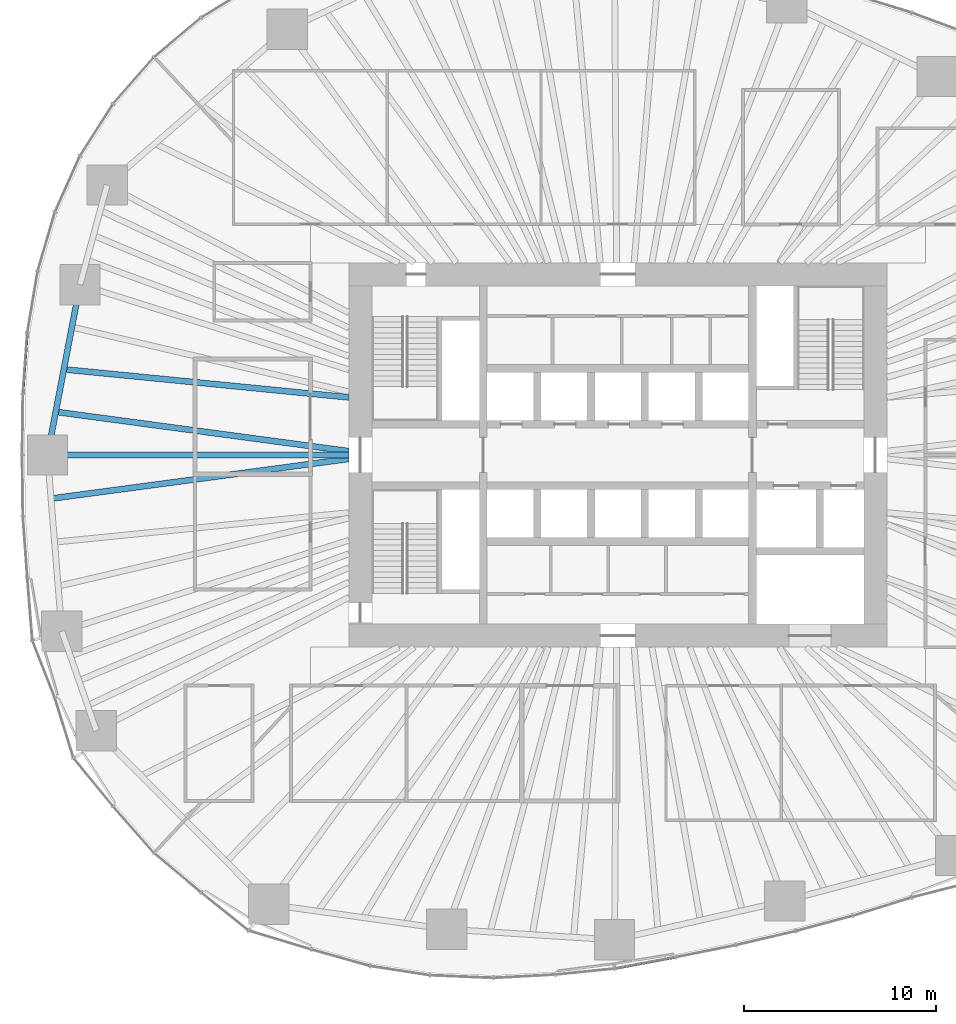
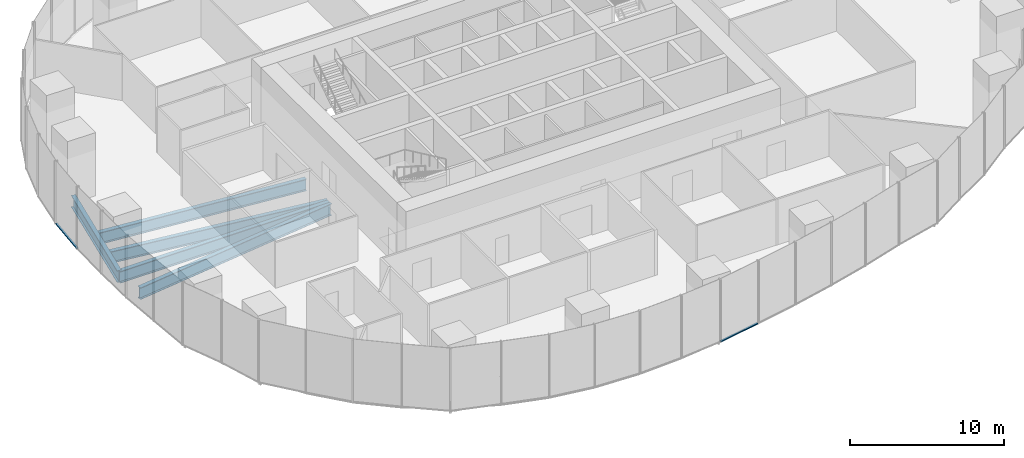
# One storey, part 3 of 20: 5 beams, 2 members, 2 elements without a shape of their own.
"""IFC4 building model written with IfcOpenShell, lengths in metres."""

from ifc_helpers import new_model, si_unit, direction, frame, origin, origin_2d, place, context, subcontext, project, spatial, rectangle, i_section, extrude, material, material_profile, profile_set, type_object, element, aggregate, save


model = new_model("IFC4")

# Units and contexts
model_context = context("Model", 3, precision=1e-05, world=origin(), true_north=direction((0.0, 1.0)))
body_context = subcontext(model_context, "Body", "Model", "MODEL_VIEW")
ifc_project = project(units=[si_unit("LENGTHUNIT", "METRE"), si_unit("AREAUNIT", "SQUARE_METRE"), si_unit("VOLUMEUNIT", "CUBIC_METRE"), si_unit("PLANEANGLEUNIT", "RADIAN"), si_unit("MASSUNIT", "GRAM", prefix="KILO")], contexts=[model_context])

# Site, building, storey
site_placement = place(None, origin())
site = spatial("IfcSite", under=ifc_project, at=site_placement, CompositionType="ELEMENT")
building_placement = place(site_placement, origin())
building = spatial("IfcBuilding", under=site, at=building_placement, Name="Ghaith Harvest Tower", CompositionType="ELEMENT")
storey_placement = place(building_placement, frame((0.0, 0.0, 30.0)))
storey = spatial("IfcBuildingStorey", under=building, at=storey_placement, Name="L06", CompositionType="ELEMENT", Elevation=30.0)

# Curtain wall, member
ifc_material_1 = material(Name="Black anodised aluminium and fritted glass", Category="aluminium")
curtain_wall_type = type_object("IfcCurtainWallType", Name="CW-F CURTAIN WALL", PredefinedType="NOTDEFINED", material=ifc_material_1)
curtain_wall_1_placement = place(storey_placement, origin())
curtain_wall_1 = element("IfcCurtainWall", 1, at=curtain_wall_1_placement, inside=storey, type_object=curtain_wall_type, Name="Curtain wall CW-F bay 10 L06", PredefinedType="NOTDEFINED")
ifc_material_2 = material(Name="Aluminium, black anodised", Category="aluminium")
ifc_material_profile_1 = material_profile(ifc_material_2, rectangle(XDim=0.139892578125, YDim=0.080078125, at=origin_2d()), Name="CW-F TRANSOM 140x80")
ifc_profile_set_1 = profile_set([ifc_material_profile_1], Name="Aluminium, black anodised")
member_type = type_object("IfcMemberType", Name="CW-F TRANSOM 140x80", PredefinedType="USERDEFINED", material=ifc_profile_set_1)
member_1_placement = place(storey_placement, frame((-30.72705078125, 6.335693359375, 0.0400390625), z_axis=(-0.072473547161, -0.997370334912, 0.0), x_axis=(0.997370334912, -0.072473547161, 0.0)))
member_1 = element("IfcMember", 2, at=member_1_placement, type_object=member_type, Name="CW-F transom 2 bay 10 L06", ObjectType="TRANSOM", PredefinedType="USERDEFINED", context=body_context, shape_type="SweptSolid", body=[
    extrude(rectangle(XDim=0.139892578125, YDim=0.080078125, at=origin_2d()), origin(), (0.0, 0.0, 1.0), 3.126220703125),
])
aggregate(curtain_wall_1, [member_1])

curtain_wall_2_placement = place(storey_placement, origin())
curtain_wall_2 = element("IfcCurtainWall", 3, at=curtain_wall_2_placement, inside=storey, type_object=curtain_wall_type, Name="Curtain wall CW-F bay 16 L06", PredefinedType="NOTDEFINED")
member_2_placement = place(storey_placement, frame((-0.1435546875, -26.709716796875, 0.0400390625), z_axis=(0.983139075124, 0.182859396706, 0.0), x_axis=(-0.182859396706, 0.983139075124, 0.0)))
member_2 = element("IfcMember", 4, at=member_2_placement, type_object=member_type, Name="CW-F transom 1 bay 16 L06", ObjectType="TRANSOM", PredefinedType="USERDEFINED", context=body_context, shape_type="SweptSolid", body=[
    extrude(rectangle(XDim=0.139892578125, YDim=0.080078125, at=origin_2d()), origin(), (0.0, 0.0, 1.0), 3.1669921875),
])
aggregate(curtain_wall_2, [member_2])

# Beams
ifc_material_3 = material(Name="Steel ASTM A992 Grade 50", Category="steel")
ifc_material_profile_2 = material_profile(ifc_material_3, i_section(OverallWidth=0.306884765625, OverallDepth=0.94189453125, WebThickness=0.022216796875, FlangeThickness=0.039794921875, at=origin_2d()), Name="W920X345")
ifc_profile_set_2 = profile_set([ifc_material_profile_2], Name="Steel ASTM A992 Grade 50")
beam_type_1 = type_object("IfcBeamType", Name="E920-345 W920X345", PredefinedType="SPANDREL", material=ifc_profile_set_2)
beam_1_placement = place(storey_placement, frame((-27.98291015625, 8.867919921875, -0.6708984375), z_axis=(-0.187433949108, -0.982277208695, 0.0), x_axis=(0.982277208695, -0.187433949108, 0.0)))
element("IfcBeam", 5, at=beam_1_placement, inside=storey, type_object=beam_type_1, Name="Edge beam E10 L06", PredefinedType="SPANDREL", context=body_context, shape_type="SweptSolid", body=[
    extrude(i_section(OverallWidth=0.306884765625, OverallDepth=0.94189453125, WebThickness=0.022216796875, FlangeThickness=0.039794921875, at=origin_2d()), origin(), (0.0, 0.0, 1.0), 9.02783203125),
])
ifc_material_4 = material(Name="Steel ASTM A992 Grade 50", Category="steel")
ifc_material_profile_3 = material_profile(ifc_material_4, i_section(OverallWidth=0.306884765625, OverallDepth=0.94189453125, WebThickness=0.022216796875, FlangeThickness=0.039794921875, at=origin_2d()), Name="W920X345")
ifc_profile_set_3 = profile_set([ifc_material_profile_3], Name="Steel ASTM A992 Grade 50")
beam_type_2 = type_object("IfcBeamType", Name="G920-345 W920X345", PredefinedType="BEAM", material=ifc_profile_set_3)
beam_2_placement = place(storey_placement, frame((-14.0, 0.0, -0.6708984375), z_axis=(-1.0, 0.0, 0.0), x_axis=(0.0, -1.0, 0.0)))
element("IfcBeam", 6, at=beam_2_placement, inside=storey, type_object=beam_type_2, Name="Radial girder G11 L06", PredefinedType="BEAM", context=body_context, shape_type="SweptSolid", body=[
    extrude(i_section(OverallWidth=0.306884765625, OverallDepth=0.94189453125, WebThickness=0.022216796875, FlangeThickness=0.039794921875, at=origin_2d()), origin(), (0.0, 0.0, 1.0), 15.675048828125),
])
ifc_material_5 = material(Name="Steel ASTM A992 Grade 50", Category="steel")
ifc_material_profile_4 = material_profile(ifc_material_5, i_section(OverallWidth=0.31005859375, OverallDepth=0.927001953125, WebThickness=0.019287109375, FlangeThickness=0.031982421875, at=origin_2d()), Name="W920X289")
ifc_profile_set_4 = profile_set([ifc_material_profile_4], Name="Steel ASTM A992 Grade 50")
beam_type_3 = type_object("IfcBeamType", Name="J920-289 W920X289", PredefinedType="JOIST", material=ifc_profile_set_4)
beam_3_placement = place(storey_placement, frame((-14.0, 3.0, -0.66357421875), z_axis=(-0.995196704135, 0.097895454848, 0.0), x_axis=(-0.097895454848, -0.995196704135, 0.0)))
element("IfcBeam", 7, at=beam_3_placement, inside=storey, type_object=beam_type_3, Name="Joist J10.2 L06", PredefinedType="JOIST", context=body_context, shape_type="SweptSolid", body=[
    extrude(i_section(OverallWidth=0.31005859375, OverallDepth=0.927001953125, WebThickness=0.019287109375, FlangeThickness=0.031982421875, at=origin_2d()), origin(), (0.0, 0.0, 1.0), 14.89599609375),
])
beam_4_placement = place(storey_placement, frame((-14.0, 0.199951171875, -0.66357421875), z_axis=(-0.991095171591, 0.133155401128, 0.0), x_axis=(-0.133155401128, -0.991095171591, 0.0)))
element("IfcBeam", 8, at=beam_4_placement, inside=storey, type_object=beam_type_3, Name="Joist J10.3 L06", PredefinedType="JOIST", context=body_context, shape_type="SweptSolid", body=[
    extrude(i_section(OverallWidth=0.31005859375, OverallDepth=0.927001953125, WebThickness=0.019287109375, FlangeThickness=0.031982421875, at=origin_2d()), origin(), (0.0, 0.0, 1.0), 15.383056640625),
])
beam_5_placement = place(storey_placement, frame((-14.0, -0.199951171875, -0.66357421875), z_axis=(-0.991213569042, -0.132271162948, 0.0), x_axis=(0.132271162948, -0.991213569042, 0.0)))
element("IfcBeam", 9, at=beam_5_placement, inside=storey, type_object=beam_type_3, Name="Joist J11.1 L06", PredefinedType="JOIST", context=body_context, shape_type="SweptSolid", body=[
    extrude(i_section(OverallWidth=0.31005859375, OverallDepth=0.927001953125, WebThickness=0.019287109375, FlangeThickness=0.031982421875, at=origin_2d()), origin(), (0.0, 0.0, 1.0), 15.6279296875),
])

save(model, "model.ifc")
